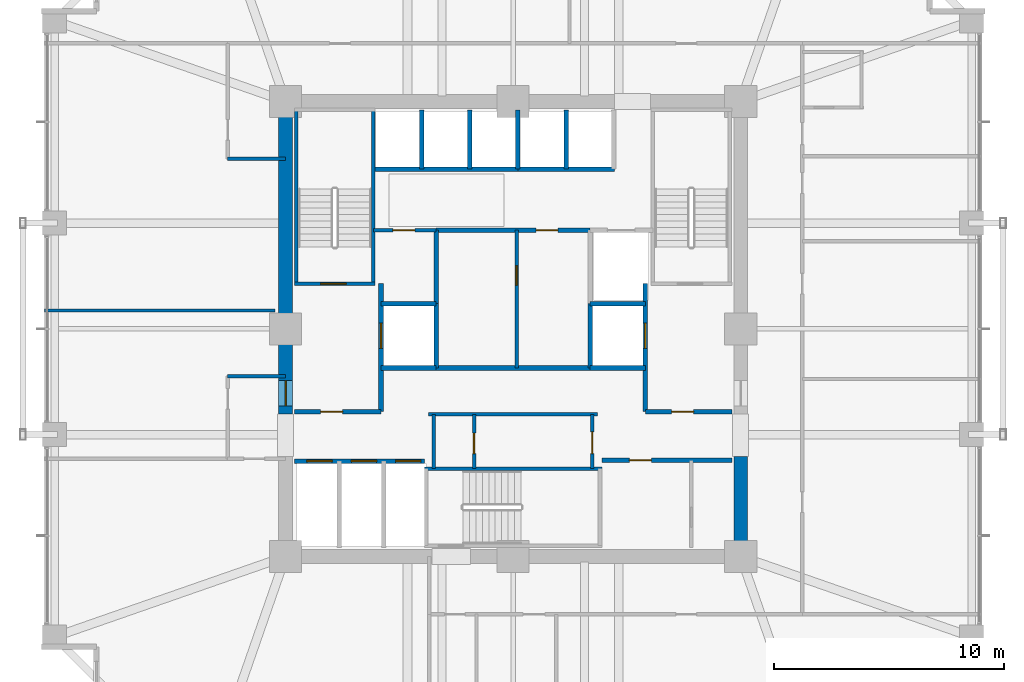
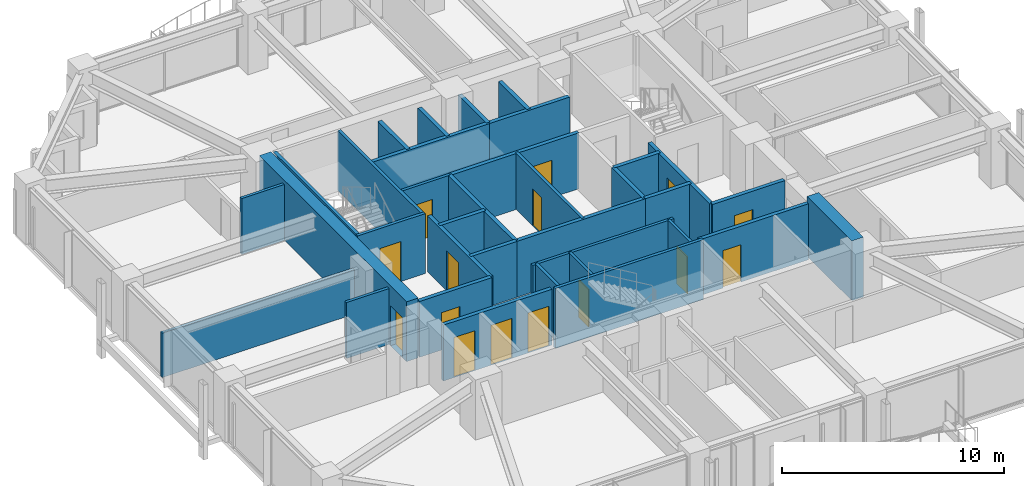
# One storey, part 33 of 38: 36 walls, 15 doors, 15 openings.
"""IFC4 building model written with IfcOpenShell, lengths in metres."""

from ifc_helpers import new_model, si_unit, direction, frame, frame_2d, origin, place, context, subcontext, project, spatial, rectangle, extrude, material, layer, layer_set, type_object, element, fill, save


model = new_model("IFC4")

# Units and contexts
model_context = context("Model", 3, precision=1e-05, world=origin(), true_north=direction((0.0, 1.0)))
body_context = subcontext(model_context, "Body", "Model", "MODEL_VIEW")
ifc_project = project(units=[si_unit("LENGTHUNIT", "METRE"), si_unit("AREAUNIT", "SQUARE_METRE"), si_unit("VOLUMEUNIT", "CUBIC_METRE"), si_unit("PLANEANGLEUNIT", "RADIAN"), si_unit("MASSUNIT", "GRAM", prefix="KILO")], contexts=[model_context])

# Site, building, storey
site_placement = place(None, origin())
site = spatial("IfcSite", under=ifc_project, at=site_placement, CompositionType="ELEMENT")
building_placement = place(site_placement, origin())
building = spatial("IfcBuilding", under=site, at=building_placement, Name="Kolvaren Belvedere", CompositionType="ELEMENT")
storey_placement = place(building_placement, frame((0.0, 0.0, 72.199951171875)))
storey = spatial("IfcBuildingStorey", under=building, at=storey_placement, Name="L20", CompositionType="ELEMENT", Elevation=72.199951171875)

# Wall
ifc_material_1 = material(Name="Concrete C60/75", Category="concrete")
ifc_layer_1 = layer(ifc_material_1, 0.60009765625)
ifc_layer_set_1 = layer_set([ifc_layer_1], Name="Concrete C60/75")
wall_type_1 = type_object("IfcWallType", Name="CW-CORE-600", PredefinedType="SHEAR", material=ifc_layer_set_1)
wall_1_placement = place(storey_placement, frame((9.89990234375, -9.60009765625, 0.0), z_axis=(0.0, 0.0, 1.0), x_axis=(0.0, 1.0, 0.0)))
element("IfcWall", 1, at=wall_1_placement, inside=storey, type_object=wall_type_1, Name="L20 East Core Shear Wall 1", PredefinedType="SHEAR", context=body_context, shape_type="SweptSolid", body=[
    extrude(rectangle(XDim=4.050048828125, YDim=0.60009765625, at=frame_2d((2.02490234375, 0.0))), origin(), (0.0, 0.0, 1.0), 3.300048828125),
])

# Wall, opening, door
wall_2_placement = place(storey_placement, frame((-9.89990234375, -3.699951171875, 0.0), z_axis=(0.0, 0.0, 1.0), x_axis=(0.0, 1.0, 0.0)))
wall_2 = element("IfcWall", 2, at=wall_2_placement, inside=storey, type_object=wall_type_1, Name="L20 West Core Shear Wall 2", PredefinedType="SHEAR", context=body_context, shape_type="SweptSolid", body=[
    extrude(rectangle(XDim=13.300048828125, YDim=0.60009765625, at=frame_2d((6.64990234375, 0.0))), origin(), (0.0, 0.0, 1.0), 3.300048828125),
])
opening_1_placement = place(wall_2_placement, frame((0.35009765625, 0.0, 0.0)))
opening_1 = element("IfcOpeningElement", 3, at=opening_1_placement, cuts=wall_2, Name="Opening D-FD90", PredefinedType="OPENING", context=body_context, shape_type="SweptSolid", body=[
    extrude(rectangle(XDim=1.10009765625, YDim=2.199951171875, at=frame_2d((0.550048828125, 1.10009765625))), frame((0.0, 0.31005859375, 0.0), z_axis=(0.0, -1.0, 0.0), x_axis=(1.0, 0.0, 0.0)), (0.0, 0.0, 1.0), 0.6201171875),
])
ifc_material_2 = material(Name="Painted hollow stainless steel", Category="steel")
door_type_1 = type_object("IfcDoorType", Name="DR-FD90-1100", OperationType="NOTDEFINED", PredefinedType="DOOR", material=ifc_material_2)
door_1_placement = place(opening_1_placement, origin())
door_1 = element("IfcDoor", 4, at=door_1_placement, inside=storey, type_object=door_type_1, Name="L20 West Firefighting Lobby Fire Door", OperationType="SINGLE_SWING_LEFT", OverallHeight=2.199951171875, OverallWidth=1.10009765625, PredefinedType="DOOR", context=body_context, shape_type="SweptSolid", body=[
    extrude(rectangle(XDim=1.10009765625, YDim=2.199951171875, at=frame_2d((0.550048828125, 1.10009765625))), frame((0.0, 0.02490234375, 0.0), z_axis=(0.0, -1.0, 0.0), x_axis=(1.0, 0.0, 0.0)), (0.0, 0.0, 1.0), 0.050048828125),
])
fill(opening_1, door_1)

ifc_material_3 = material(Name="Concrete C50/60", Category="concrete")
ifc_layer_2 = layer(ifc_material_3, 0.159912109375)
ifc_layer_set_2 = layer_set([ifc_layer_2], Name="Concrete C50/60")
wall_type_2 = type_object("IfcWallType", Name="CW-STAIR-160", PredefinedType="SHEAR", material=ifc_layer_set_2)
wall_3_placement = place(storey_placement, frame((-9.52001953125, 1.969970703125, 0.0), z_axis=(0.0, 0.0, 1.0), x_axis=(1.0, 0.0, 0.0)))
wall_3 = element("IfcWall", 5, at=wall_3_placement, inside=storey, type_object=wall_type_2, Name="L20 Stair ST-1 South Shear Wall", PredefinedType="SHEAR", context=body_context, shape_type="SweptSolid", body=[
    extrude(rectangle(XDim=3.52001953125, YDim=0.159912109375, at=frame_2d((1.760009765625, 0.0))), origin(), (0.0, 0.0, 1.0), 3.300048828125),
])
opening_2_placement = place(wall_3_placement, frame((1.14990234375, 0.0, 0.0)))
opening_2 = element("IfcOpeningElement", 6, at=opening_2_placement, cuts=wall_3, Name="Opening D-FD90", PredefinedType="OPENING", context=body_context, shape_type="SweptSolid", body=[
    extrude(rectangle(XDim=1.10009765625, YDim=2.199951171875, at=frame_2d((0.550048828125, 1.10009765625))), frame((0.0, 0.08984375, 0.0), z_axis=(0.0, -1.0, 0.0), x_axis=(1.0, 0.0, 0.0)), (0.0, 0.0, 1.0), 0.179931640625),
])
door_2_placement = place(opening_2_placement, origin())
door_2 = element("IfcDoor", 7, at=door_2_placement, inside=storey, type_object=door_type_1, Name="L20 Stair ST-1 Fire Door", OperationType="SINGLE_SWING_LEFT", OverallHeight=2.199951171875, OverallWidth=1.10009765625, PredefinedType="DOOR", context=body_context, shape_type="SweptSolid", body=[
    extrude(rectangle(XDim=1.10009765625, YDim=2.199951171875, at=frame_2d((0.550048828125, 1.10009765625))), frame((0.0, 0.02490234375, 0.0), z_axis=(0.0, -1.0, 0.0), x_axis=(1.0, 0.0, 0.0)), (0.0, 0.0, 1.0), 0.050048828125),
])
fill(opening_2, door_2)

# Walls
for number, where, z_axis, x_axis, name in (
    (8, (-9.429931640625, 1.969970703125, 0.0), (0.0, 0.0, 1.0), (0.0, 1.0, 0.0), "L20 Stair ST-1 West Shear Wall"),
    (9, (-6.080078125, 1.969970703125, 0.0), (0.0, 0.0, 1.0), (0.0, 1.0, 0.0), "L20 Stair ST-1 East Shear Wall"),
):
    element("IfcWall", number, at=place(storey_placement, frame(where, z_axis=z_axis, x_axis=x_axis)), inside=storey, type_object=wall_type_2, Name=name, PredefinedType="SHEAR", context=body_context, shape_type="SweptSolid", body=[
        extrude(rectangle(XDim=7.56005859375, YDim=0.159912109375, at=frame_2d((3.780029296875, 0.0))), origin(), (0.0, 0.0, 1.0), 3.300048828125),
    ])
wall_4_placement = place(storey_placement, frame((-3.860107421875, -6.080078125, 0.0), z_axis=(0.0, 0.0, 1.0), x_axis=(1.0, 0.0, 0.0)))
element("IfcWall", 10, at=wall_4_placement, inside=storey, type_object=wall_type_2, Name="L20 Stair ST-3 North Shear Wall", PredefinedType="SHEAR", context=body_context, shape_type="SweptSolid", body=[
    extrude(rectangle(XDim=7.72021484375, YDim=0.159912109375, at=frame_2d((3.860107421875, 0.0))), origin(), (0.0, 0.0, 1.0), 3.300048828125),
])
ifc_material_4 = material(Name="Gypsum fire-rated partition assembly", Category="gypsum")
ifc_layer_3 = layer(ifc_material_4, 0.14990234375)
ifc_layer_set_3 = layer_set([ifc_layer_3], Name="Gypsum fire-rated partition assembly")
wall_type_3 = type_object("IfcWallType", Name="WL-CORR-150", PredefinedType="PARTITIONING", material=ifc_layer_set_3)
for number, where, z_axis, x_axis, name in (
    (11, (-12.419921875, 7.39990234375, 0.0), (0.0, 0.0, 1.0), (1.0, 0.0, 0.0), "L20 NW Core Closure Wall"),
    (12, (-12.419921875, -2.050048828125, 0.0), (0.0, 0.0, 1.0), (1.0, 0.0, 0.0), "L20 West Pocket North Closure Wall"),
):
    element("IfcWall", number, at=place(storey_placement, frame(where, z_axis=z_axis, x_axis=x_axis)), inside=storey, type_object=wall_type_3, Name=name, PredefinedType="PARTITIONING", context=body_context, shape_type="SweptSolid", body=[
        extrude(rectangle(XDim=2.52001953125, YDim=0.14990234375, at=frame_2d((1.260009765625, 0.0))), origin(), (0.0, 0.0, 1.0), 3.080078125),
    ])

# Wall, opening, door
ifc_material_5 = material(Name="Gypsum acoustic partition assembly", Category="gypsum")
ifc_layer_4 = layer(ifc_material_5, 0.14990234375)
ifc_layer_set_4 = layer_set([ifc_layer_4], Name="Gypsum acoustic partition assembly")
wall_type_4 = type_object("IfcWallType", Name="WL-PART-150", PredefinedType="PARTITIONING", material=ifc_layer_set_4)
wall_5_placement = place(storey_placement, frame((0.14990234375, -1.699951171875, 0.0), z_axis=(0.0, 0.0, 1.0), x_axis=(0.0, 1.0, 0.0)))
wall_5 = element("IfcWall", 13, at=wall_5_placement, inside=storey, type_object=wall_type_4, Name="L20 Central Core V-Divider", PredefinedType="PARTITIONING", context=body_context, shape_type="SweptSolid", body=[
    extrude(rectangle(XDim=6.0, YDim=0.14990234375, at=frame_2d((3.0, 0.0))), origin(), (0.0, 0.0, 1.0), 3.080078125),
])
opening_3_placement = place(wall_5_placement, frame((3.60009765625, 0.0, 0.0)))
opening_3 = element("IfcOpeningElement", 14, at=opening_3_placement, cuts=wall_5, Name="Opening D-INT85", PredefinedType="OPENING", context=body_context, shape_type="SweptSolid", body=[
    extrude(rectangle(XDim=0.85009765625, YDim=2.030029296875, at=frame_2d((0.425048828125, 1.01513671875))), frame((0.0, 0.0849609375, 0.0), z_axis=(0.0, -1.0, 0.0), x_axis=(1.0, 0.0, 0.0)), (0.0, 0.0, 1.0), 0.169921875),
])
ifc_material_6 = material(Name="Stained Pacific white oak", Category="timber")
door_type_2 = type_object("IfcDoorType", Name="DR-INT-850", OperationType="NOTDEFINED", PredefinedType="DOOR", material=ifc_material_6)
door_3_placement = place(opening_3_placement, origin())
door_3 = element("IfcDoor", 15, at=door_3_placement, inside=storey, type_object=door_type_2, Name="L20 Central Linen Door", OperationType="SINGLE_SWING_RIGHT", OverallHeight=2.030029296875, OverallWidth=0.85009765625, PredefinedType="DOOR", context=body_context, shape_type="SweptSolid", body=[
    extrude(rectangle(XDim=0.85009765625, YDim=2.030029296875, at=frame_2d((0.425048828125, 1.01513671875))), frame((0.0, 0.02490234375, 0.0), z_axis=(0.0, -1.0, 0.0), x_axis=(1.0, 0.0, 0.0)), (0.0, 0.0, 1.0), 0.050048828125),
])
fill(opening_3, door_3)

# Wall
wall_6_placement = place(storey_placement, frame((-3.679931640625, -3.719970703125, 0.0), z_axis=(0.0, 0.0, 1.0), x_axis=(1.0, 0.0, 0.0)))
element("IfcWall", 16, at=wall_6_placement, inside=storey, type_object=wall_type_4, Name="L20 South Core Service North Wall", PredefinedType="PARTITIONING", context=body_context, shape_type="SweptSolid", body=[
    extrude(rectangle(XDim=7.35986328125, YDim=0.14990234375, at=frame_2d((3.679931640625, 0.0))), origin(), (0.0, 0.0, 1.0), 3.080078125),
])

# Wall, opening, door
wall_7_placement = place(storey_placement, frame((3.449951171875, -6.080078125, 0.0), z_axis=(0.0, 0.0, 1.0), x_axis=(0.0, 1.0, 0.0)))
wall_7 = element("IfcWall", 17, at=wall_7_placement, inside=storey, type_object=wall_type_4, Name="L20 South Core Service East Wall", PredefinedType="PARTITIONING", context=body_context, shape_type="SweptSolid", body=[
    extrude(rectangle(XDim=2.360107421875, YDim=0.14990234375, at=frame_2d((1.18017578125, 0.0))), origin(), (0.0, 0.0, 1.0), 3.080078125),
])
opening_4_placement = place(wall_7_placement, frame((0.64990234375, 0.0, 0.0)))
opening_4 = element("IfcOpeningElement", 18, at=opening_4_placement, cuts=wall_7, Name="Opening D-FD60", PredefinedType="OPENING", context=body_context, shape_type="SweptSolid", body=[
    extrude(rectangle(XDim=0.949951171875, YDim=2.06005859375, at=frame_2d((0.47509765625, 1.030029296875))), frame((0.0, 0.0849609375, 0.0), z_axis=(0.0, -1.0, 0.0), x_axis=(1.0, 0.0, 0.0)), (0.0, 0.0, 1.0), 0.169921875),
])
ifc_material_7 = material(Name="Acoustic white-oak fire door leaf", Category="timber")
door_type_3 = type_object("IfcDoorType", Name="DR-FD60-950", OperationType="NOTDEFINED", PredefinedType="DOOR", material=ifc_material_7)
door_4_placement = place(opening_4_placement, origin())
door_4 = element("IfcDoor", 19, at=door_4_placement, inside=storey, type_object=door_type_3, Name="L20 Core Service Room Door", OperationType="SINGLE_SWING_LEFT", OverallHeight=2.06005859375, OverallWidth=0.949951171875, PredefinedType="DOOR", context=body_context, shape_type="SweptSolid", body=[
    extrude(rectangle(XDim=0.949951171875, YDim=2.06005859375, at=frame_2d((0.47509765625, 1.030029296875))), frame((0.0, 0.02490234375, 0.0), z_axis=(0.0, -1.0, 0.0), x_axis=(1.0, 0.0, 0.0)), (0.0, 0.0, 1.0), 0.050048828125),
])
fill(opening_4, door_4)

# Wall
wall_8_placement = place(storey_placement, frame((-3.449951171875, -6.080078125, 0.0), z_axis=(0.0, 0.0, 1.0), x_axis=(0.0, 1.0, 0.0)))
element("IfcWall", 20, at=wall_8_placement, inside=storey, type_object=wall_type_4, Name="L20 South Core Service West Wall", PredefinedType="PARTITIONING", context=body_context, shape_type="SweptSolid", body=[
    extrude(rectangle(XDim=2.360107421875, YDim=0.14990234375, at=frame_2d((1.18017578125, 0.0))), origin(), (0.0, 0.0, 1.0), 3.080078125),
])

# Wall, opening, door
wall_9_placement = place(storey_placement, frame((-1.699951171875, -6.080078125, 0.0), z_axis=(0.0, 0.0, 1.0), x_axis=(0.0, 1.0, 0.0)))
wall_9 = element("IfcWall", 21, at=wall_9_placement, inside=storey, type_object=wall_type_4, Name="L20 Core Service Divider", PredefinedType="PARTITIONING", context=body_context, shape_type="SweptSolid", body=[
    extrude(rectangle(XDim=2.360107421875, YDim=0.14990234375, at=frame_2d((1.18017578125, 0.0))), origin(), (0.0, 0.0, 1.0), 3.080078125),
])
opening_5_placement = place(wall_9_placement, frame((0.64990234375, 0.0, 0.0)))
opening_5 = element("IfcOpeningElement", 22, at=opening_5_placement, cuts=wall_9, Name="Opening D-INT90", PredefinedType="OPENING", context=body_context, shape_type="SweptSolid", body=[
    extrude(rectangle(XDim=0.89990234375, YDim=2.06005859375, at=frame_2d((0.449951171875, 1.030029296875))), frame((0.0, 0.0849609375, 0.0), z_axis=(0.0, -1.0, 0.0), x_axis=(1.0, 0.0, 0.0)), (0.0, 0.0, 1.0), 0.169921875),
])
ifc_material_8 = material(Name="Stained Pacific white oak", Category="timber")
door_type_4 = type_object("IfcDoorType", Name="DR-INT-900", OperationType="NOTDEFINED", PredefinedType="DOOR", material=ifc_material_8)
door_5_placement = place(opening_5_placement, origin())
door_5 = element("IfcDoor", 23, at=door_5_placement, inside=storey, type_object=door_type_4, Name="L20 Telecom Inner Door", OperationType="SINGLE_SWING_RIGHT", OverallHeight=2.06005859375, OverallWidth=0.89990234375, PredefinedType="DOOR", context=body_context, shape_type="SweptSolid", body=[
    extrude(rectangle(XDim=0.89990234375, YDim=2.06005859375, at=frame_2d((0.449951171875, 1.030029296875))), frame((0.0, 0.02490234375, 0.0), z_axis=(0.0, -1.0, 0.0), x_axis=(1.0, 0.0, 0.0)), (0.0, 0.0, 1.0), 0.050048828125),
])
fill(opening_5, door_5)

wall_10_placement = place(storey_placement, frame((-6.080078125, 4.300048828125, 0.0), z_axis=(0.0, 0.0, 1.0), x_axis=(1.0, 0.0, 0.0)))
wall_10 = element("IfcWall", 24, at=wall_10_placement, inside=storey, type_object=wall_type_4, Name="L20 NW Service Room North Wall", PredefinedType="PARTITIONING", context=body_context, shape_type="SweptSolid", body=[
    extrude(rectangle(XDim=2.72998046875, YDim=0.14990234375, at=frame_2d((1.364990234375, 0.0))), origin(), (0.0, 0.0, 1.0), 3.080078125),
])
opening_6_placement = place(wall_10_placement, frame((0.85009765625, 0.0, 0.0)))
opening_6 = element("IfcOpeningElement", 25, at=opening_6_placement, cuts=wall_10, Name="Opening D-FD60", PredefinedType="OPENING", context=body_context, shape_type="SweptSolid", body=[
    extrude(rectangle(XDim=0.949951171875, YDim=2.06005859375, at=frame_2d((0.47509765625, 1.030029296875))), frame((0.0, 0.0849609375, 0.0), z_axis=(0.0, -1.0, 0.0), x_axis=(1.0, 0.0, 0.0)), (0.0, 0.0, 1.0), 0.169921875),
])
door_6_placement = place(opening_6_placement, origin())
door_6 = element("IfcDoor", 26, at=door_6_placement, inside=storey, type_object=door_type_3, Name="L20 NW Core Store Door", OperationType="SINGLE_SWING_RIGHT", OverallHeight=2.06005859375, OverallWidth=0.949951171875, PredefinedType="DOOR", context=body_context, shape_type="SweptSolid", body=[
    extrude(rectangle(XDim=0.949951171875, YDim=2.06005859375, at=frame_2d((0.47509765625, 1.030029296875))), frame((0.0, 0.02490234375, 0.0), z_axis=(0.0, -1.0, 0.0), x_axis=(1.0, 0.0, 0.0)), (0.0, 0.0, 1.0), 0.050048828125),
])
fill(opening_6, door_6)

# Wall
wall_11_placement = place(storey_placement, frame((-20.3798828125, 0.800048828125, 0.0), z_axis=(0.0, 0.0, 1.0), x_axis=(1.0, 0.0, 0.0)))
element("IfcWall", 27, at=wall_11_placement, inside=storey, type_object=wall_type_4, Name="L20 West Upper Suite Divider", PredefinedType="PARTITIONING", context=body_context, shape_type="SweptSolid", body=[
    extrude(rectangle(XDim=10.019775390625, YDim=0.14990234375, at=frame_2d((5.009765625, 0.0))), origin(), (0.0, 0.0, 1.0), 2.448974609375),
])

# Wall, opening, door
ifc_material_9 = material(Name="Concrete C50/60", Category="concrete")
ifc_layer_5 = layer(ifc_material_9, 0.199951171875)
ifc_layer_set_5 = layer_set([ifc_layer_5], Name="Concrete C50/60")
wall_type_5 = type_object("IfcWallType", Name="WL-SHAFT-200", PredefinedType="SOLIDWALL", material=ifc_layer_set_5)
wall_12_placement = place(storey_placement, frame((-9.52001953125, -3.60009765625, 0.0), z_axis=(0.0, 0.0, 1.0), x_axis=(1.0, 0.0, 0.0)))
wall_12 = element("IfcWall", 28, at=wall_12_placement, inside=storey, type_object=wall_type_5, Name="L20 West FSAE Lobby South Wall", PredefinedType="SOLIDWALL", context=body_context, shape_type="SweptSolid", body=[
    extrude(rectangle(XDim=3.77001953125, YDim=0.199951171875, at=frame_2d((1.885009765625, 0.0))), origin(), (0.0, 0.0, 1.0), 3.080078125),
])
opening_7_placement = place(wall_12_placement, frame((1.14990234375, 0.0, 0.0)))
opening_7 = element("IfcOpeningElement", 29, at=opening_7_placement, cuts=wall_12, Name="Opening D-FD60", PredefinedType="OPENING", context=body_context, shape_type="SweptSolid", body=[
    extrude(rectangle(XDim=0.949951171875, YDim=2.06005859375, at=frame_2d((0.47509765625, 1.030029296875))), frame((0.0, 0.10986328125, 0.0), z_axis=(0.0, -1.0, 0.0), x_axis=(1.0, 0.0, 0.0)), (0.0, 0.0, 1.0), 0.219970703125),
])
door_7_placement = place(opening_7_placement, origin())
door_7 = element("IfcDoor", 30, at=door_7_placement, inside=storey, type_object=door_type_3, Name="L20 Mid-Rise Lift Lobby Fire Door", OperationType="SINGLE_SWING_LEFT", OverallHeight=2.06005859375, OverallWidth=0.949951171875, PredefinedType="DOOR", context=body_context, shape_type="SweptSolid", body=[
    extrude(rectangle(XDim=0.949951171875, YDim=2.06005859375, at=frame_2d((0.47509765625, 1.030029296875))), frame((0.0, 0.02490234375, 0.0), z_axis=(0.0, -1.0, 0.0), x_axis=(1.0, 0.0, 0.0)), (0.0, 0.0, 1.0), 0.050048828125),
])
fill(opening_7, door_7)

wall_13_placement = place(storey_placement, frame((-5.75, -3.60009765625, 0.0), z_axis=(0.0, 0.0, 1.0), x_axis=(0.0, 1.0, 0.0)))
wall_13 = element("IfcWall", 31, at=wall_13_placement, inside=storey, type_object=wall_type_5, Name="L20 FSAE FS1 Landing Wall", PredefinedType="SOLIDWALL", context=body_context, shape_type="SweptSolid", body=[
    extrude(rectangle(XDim=5.570068359375, YDim=0.199951171875, at=frame_2d((2.78515625, 0.0))), origin(), (0.0, 0.0, 1.0), 3.080078125),
])
opening_8_placement = place(wall_13_placement, frame((2.75, 0.0, 0.0)))
opening_8 = element("IfcOpeningElement", 32, at=opening_8_placement, cuts=wall_13, Name="Opening LD-11", PredefinedType="OPENING", context=body_context, shape_type="SweptSolid", body=[
    extrude(rectangle(XDim=1.10009765625, YDim=2.199951171875, at=frame_2d((0.550048828125, 1.10009765625))), frame((0.0, 0.10986328125, 0.0), z_axis=(0.0, -1.0, 0.0), x_axis=(1.0, 0.0, 0.0)), (0.0, 0.0, 1.0), 0.219970703125),
])
ifc_material_10 = material(Name="Brushed stainless steel", Category="steel")
door_type_5 = type_object("IfcDoorType", Name="DR-LIFT-1100", OperationType="DOUBLE_DOOR_SLIDING", PredefinedType="DOOR", material=ifc_material_10)
door_8_placement = place(opening_8_placement, origin())
door_8 = element("IfcDoor", 33, at=door_8_placement, inside=storey, type_object=door_type_5, Name="L20 Firefighting Lift FS1 Landing Door", OperationType="DOUBLE_DOOR_SLIDING", OverallHeight=2.199951171875, OverallWidth=1.10009765625, PredefinedType="DOOR", context=body_context, shape_type="SweptSolid", body=[
    extrude(rectangle(XDim=1.10009765625, YDim=2.199951171875, at=frame_2d((0.550048828125, 1.10009765625))), frame((0.0, 0.02490234375, 0.0), z_axis=(0.0, -1.0, 0.0), x_axis=(1.0, 0.0, 0.0)), (0.0, 0.0, 1.0), 0.050048828125),
])
fill(opening_8, door_8)

# Walls
wall_14_placement = place(storey_placement, frame((-3.35009765625, -1.699951171875, 0.0), z_axis=(0.0, 0.0, 1.0), x_axis=(0.0, 1.0, 0.0)))
element("IfcWall", 34, at=wall_14_placement, inside=storey, type_object=wall_type_5, Name="L20 FSAE FS1 Back Wall", PredefinedType="SOLIDWALL", context=body_context, shape_type="SweptSolid", body=[
    extrude(rectangle(XDim=2.800048828125, YDim=0.199951171875, at=frame_2d((1.39990234375, 0.0))), origin(), (0.0, 0.0, 1.0), 3.080078125),
])
for number, where, z_axis, x_axis, name in (
    (35, (-5.75, -1.699951171875, 0.0), (0.0, 0.0, 1.0), (1.0, 0.0, 0.0), "L20 FSAE FS1 South Wall"),
    (36, (-5.75, 1.10009765625, 0.0), (0.0, 0.0, 1.0), (1.0, 0.0, 0.0), "L20 FSAE FS1 North Wall"),
):
    element("IfcWall", number, at=place(storey_placement, frame(where, z_axis=z_axis, x_axis=x_axis)), inside=storey, type_object=wall_type_5, Name=name, PredefinedType="SOLIDWALL", context=body_context, shape_type="SweptSolid", body=[
        extrude(rectangle(XDim=2.39990234375, YDim=0.199951171875, at=frame_2d((1.199951171875, 0.0))), origin(), (0.0, 0.0, 1.0), 3.080078125),
    ])

# Wall, opening, door
wall_15_placement = place(storey_placement, frame((5.75, -3.60009765625, 0.0), z_axis=(0.0, 0.0, 1.0), x_axis=(1.0, 0.0, 0.0)))
wall_15 = element("IfcWall", 37, at=wall_15_placement, inside=storey, type_object=wall_type_5, Name="L20 East FSAE Lobby South Wall", PredefinedType="SOLIDWALL", context=body_context, shape_type="SweptSolid", body=[
    extrude(rectangle(XDim=3.77001953125, YDim=0.199951171875, at=frame_2d((1.885009765625, 0.0))), origin(), (0.0, 0.0, 1.0), 3.080078125),
])
opening_9_placement = place(wall_15_placement, frame((1.14990234375, 0.0, 0.0)))
opening_9 = element("IfcOpeningElement", 38, at=opening_9_placement, cuts=wall_15, Name="Opening D-FD60", PredefinedType="OPENING", context=body_context, shape_type="SweptSolid", body=[
    extrude(rectangle(XDim=0.949951171875, YDim=2.06005859375, at=frame_2d((0.47509765625, 1.030029296875))), frame((0.0, 0.10986328125, 0.0), z_axis=(0.0, -1.0, 0.0), x_axis=(1.0, 0.0, 0.0)), (0.0, 0.0, 1.0), 0.219970703125),
])
door_9_placement = place(opening_9_placement, origin())
door_9 = element("IfcDoor", 39, at=door_9_placement, inside=storey, type_object=door_type_3, Name="L20 SE Lift Lobby Fire Door", OperationType="SINGLE_SWING_RIGHT", OverallHeight=2.06005859375, OverallWidth=0.949951171875, PredefinedType="DOOR", context=body_context, shape_type="SweptSolid", body=[
    extrude(rectangle(XDim=0.949951171875, YDim=2.06005859375, at=frame_2d((0.47509765625, 1.030029296875))), frame((0.0, 0.02490234375, 0.0), z_axis=(0.0, -1.0, 0.0), x_axis=(1.0, 0.0, 0.0)), (0.0, 0.0, 1.0), 0.050048828125),
])
fill(opening_9, door_9)

wall_16_placement = place(storey_placement, frame((5.75, -3.60009765625, 0.0), z_axis=(0.0, 0.0, 1.0), x_axis=(0.0, 1.0, 0.0)))
wall_16 = element("IfcWall", 40, at=wall_16_placement, inside=storey, type_object=wall_type_5, Name="L20 FSAE FS2 Landing Wall", PredefinedType="SOLIDWALL", context=body_context, shape_type="SweptSolid", body=[
    extrude(rectangle(XDim=5.570068359375, YDim=0.199951171875, at=frame_2d((2.78515625, 0.0))), origin(), (0.0, 0.0, 1.0), 3.080078125),
])
opening_10_placement = place(wall_16_placement, frame((2.75, 0.0, 0.0)))
opening_10 = element("IfcOpeningElement", 41, at=opening_10_placement, cuts=wall_16, Name="Opening LD-11", PredefinedType="OPENING", context=body_context, shape_type="SweptSolid", body=[
    extrude(rectangle(XDim=1.10009765625, YDim=2.199951171875, at=frame_2d((0.550048828125, 1.10009765625))), frame((0.0, 0.10986328125, 0.0), z_axis=(0.0, -1.0, 0.0), x_axis=(1.0, 0.0, 0.0)), (0.0, 0.0, 1.0), 0.219970703125),
])
door_10_placement = place(opening_10_placement, origin())
door_10 = element("IfcDoor", 42, at=door_10_placement, inside=storey, type_object=door_type_5, Name="L20 Firefighting Lift FS2 Landing Door", OperationType="DOUBLE_DOOR_SLIDING", OverallHeight=2.199951171875, OverallWidth=1.10009765625, PredefinedType="DOOR", context=body_context, shape_type="SweptSolid", body=[
    extrude(rectangle(XDim=1.10009765625, YDim=2.199951171875, at=frame_2d((0.550048828125, 1.10009765625))), frame((0.0, 0.02490234375, 0.0), z_axis=(0.0, -1.0, 0.0), x_axis=(1.0, 0.0, 0.0)), (0.0, 0.0, 1.0), 0.050048828125),
])
fill(opening_10, door_10)

# Walls
wall_17_placement = place(storey_placement, frame((3.35009765625, -1.699951171875, 0.0), z_axis=(0.0, 0.0, 1.0), x_axis=(0.0, 1.0, 0.0)))
element("IfcWall", 43, at=wall_17_placement, inside=storey, type_object=wall_type_5, Name="L20 FSAE FS2 Back Wall", PredefinedType="SOLIDWALL", context=body_context, shape_type="SweptSolid", body=[
    extrude(rectangle(XDim=2.800048828125, YDim=0.199951171875, at=frame_2d((1.39990234375, 0.0))), origin(), (0.0, 0.0, 1.0), 3.080078125),
])
for number, where, z_axis, x_axis, name in (
    (44, (3.35009765625, -1.699951171875, 0.0), (0.0, 0.0, 1.0), (1.0, 0.0, 0.0), "L20 FSAE FS2 South Wall"),
    (45, (3.35009765625, 1.10009765625, 0.0), (0.0, 0.0, 1.0), (1.0, 0.0, 0.0), "L20 FSAE FS2 North Wall"),
):
    element("IfcWall", number, at=place(storey_placement, frame(where, z_axis=z_axis, x_axis=x_axis)), inside=storey, type_object=wall_type_5, Name=name, PredefinedType="SOLIDWALL", context=body_context, shape_type="SweptSolid", body=[
        extrude(rectangle(XDim=2.39990234375, YDim=0.199951171875, at=frame_2d((1.199951171875, 0.0))), origin(), (0.0, 0.0, 1.0), 3.080078125),
    ])
wall_18_placement = place(storey_placement, frame((-6.080078125, 6.949951171875, 0.0), z_axis=(0.0, 0.0, 1.0), x_axis=(1.0, 0.0, 0.0)))
element("IfcWall", 46, at=wall_18_placement, inside=storey, type_object=wall_type_5, Name="L20 Low-Rise Lift Bank Front Wall", PredefinedType="SOLIDWALL", context=body_context, shape_type="SweptSolid", body=[
    extrude(rectangle(XDim=6.300048828125, YDim=0.199951171875, at=frame_2d((3.14990234375, 0.0))), origin(), (0.0, 0.0, 1.0), 3.080078125),
])
for number, where, z_axis, x_axis, name in (
    (47, (-3.969970703125, 6.949951171875, 0.0), (0.0, 0.0, 1.0), (0.0, 1.0, 0.0), "L20 Low-Rise Hoistway Divider 1"),
    (48, (-1.889892578125, 6.949951171875, 0.0), (0.0, 0.0, 1.0), (0.0, 1.0, 0.0), "L20 Low-Rise Hoistway Divider 2"),
    (49, (0.2099609375, 6.949951171875, 0.0), (0.0, 0.0, 1.0), (0.0, 1.0, 0.0), "L20 Low-Rise Hoistway Divider 3"),
):
    element("IfcWall", number, at=place(storey_placement, frame(where, z_axis=z_axis, x_axis=x_axis)), inside=storey, type_object=wall_type_5, Name=name, PredefinedType="SOLIDWALL", context=body_context, shape_type="SweptSolid", body=[
        extrude(rectangle(XDim=2.570068359375, YDim=0.199951171875, at=frame_2d((1.28515625, 0.0))), origin(), (0.0, 0.0, 1.0), 3.080078125),
    ])
wall_19_placement = place(storey_placement, frame((0.219970703125, 6.949951171875, 0.0), z_axis=(0.0, 0.0, 1.0), x_axis=(1.0, 0.0, 0.0)))
element("IfcWall", 50, at=wall_19_placement, inside=storey, type_object=wall_type_5, Name="L20 Express Shuttle Hoistway Wall", PredefinedType="SOLIDWALL", context=body_context, shape_type="SweptSolid", body=[
    extrude(rectangle(XDim=4.179931640625, YDim=0.199951171875, at=frame_2d((2.08984375, 0.0))), origin(), (0.0, 0.0, 1.0), 3.080078125),
])
wall_20_placement = place(storey_placement, frame((2.31005859375, 6.949951171875, 0.0), z_axis=(0.0, 0.0, 1.0), x_axis=(0.0, 1.0, 0.0)))
element("IfcWall", 51, at=wall_20_placement, inside=storey, type_object=wall_type_5, Name="L20 Express Shuttle Divider", PredefinedType="SOLIDWALL", context=body_context, shape_type="SweptSolid", body=[
    extrude(rectangle(XDim=2.570068359375, YDim=0.199951171875, at=frame_2d((1.28515625, 0.0))), origin(), (0.0, 0.0, 1.0), 3.080078125),
])

# Wall, openings, doors
wall_21_placement = place(storey_placement, frame((-9.52001953125, -5.75, 0.0), z_axis=(0.0, 0.0, 1.0), x_axis=(1.0, 0.0, 0.0)))
wall_21 = element("IfcWall", 52, at=wall_21_placement, inside=storey, type_object=wall_type_5, Name="L20 Mid-Rise Lift Bank Front Wall", PredefinedType="SOLIDWALL", context=body_context, shape_type="SweptSolid", body=[
    extrude(rectangle(XDim=5.659912109375, YDim=0.199951171875, at=frame_2d((2.830078125, 0.0))), origin(), (0.0, 0.0, 1.0), 3.080078125),
])
opening_11_placement = place(wall_21_placement, frame((0.550048828125, 0.0, 0.0)))
opening_11 = element("IfcOpeningElement", 53, at=opening_11_placement, cuts=wall_21, Name="Opening LD-11", PredefinedType="OPENING", context=body_context, shape_type="SweptSolid", body=[
    extrude(rectangle(XDim=1.10009765625, YDim=2.199951171875, at=frame_2d((0.550048828125, 1.10009765625))), frame((0.0, 0.10986328125, 0.0), z_axis=(0.0, -1.0, 0.0), x_axis=(1.0, 0.0, 0.0)), (0.0, 0.0, 1.0), 0.219970703125),
])
opening_12_placement = place(wall_21_placement, frame((2.47998046875, 0.0, 0.0)))
opening_12 = element("IfcOpeningElement", 54, at=opening_12_placement, cuts=wall_21, Name="Opening LD-11", PredefinedType="OPENING", context=body_context, shape_type="SweptSolid", body=[
    extrude(rectangle(XDim=1.10009765625, YDim=2.199951171875, at=frame_2d((0.550048828125, 1.10009765625))), frame((0.0, 0.10986328125, 0.0), z_axis=(0.0, -1.0, 0.0), x_axis=(1.0, 0.0, 0.0)), (0.0, 0.0, 1.0), 0.219970703125),
])
opening_13_placement = place(wall_21_placement, frame((4.409912109375, 0.0, 0.0)))
opening_13 = element("IfcOpeningElement", 55, at=opening_13_placement, cuts=wall_21, Name="Opening LD-11", PredefinedType="OPENING", context=body_context, shape_type="SweptSolid", body=[
    extrude(rectangle(XDim=1.10009765625, YDim=2.199951171875, at=frame_2d((0.550048828125, 1.10009765625))), frame((0.0, 0.10986328125, 0.0), z_axis=(0.0, -1.0, 0.0), x_axis=(1.0, 0.0, 0.0)), (0.0, 0.0, 1.0), 0.219970703125),
])
door_11_placement = place(opening_11_placement, origin())
door_11 = element("IfcDoor", 56, at=door_11_placement, inside=storey, type_object=door_type_5, Name="L20 Passenger Lift P4 Landing Door", OperationType="DOUBLE_DOOR_SLIDING", OverallHeight=2.199951171875, OverallWidth=1.10009765625, PredefinedType="DOOR", context=body_context, shape_type="SweptSolid", body=[
    extrude(rectangle(XDim=1.10009765625, YDim=2.199951171875, at=frame_2d((0.550048828125, 1.10009765625))), frame((0.0, 0.02490234375, 0.0), z_axis=(0.0, -1.0, 0.0), x_axis=(1.0, 0.0, 0.0)), (0.0, 0.0, 1.0), 0.050048828125),
])
fill(opening_11, door_11)
door_12_placement = place(opening_12_placement, origin())
door_12 = element("IfcDoor", 57, at=door_12_placement, inside=storey, type_object=door_type_5, Name="L20 Passenger Lift P5 Landing Door", OperationType="DOUBLE_DOOR_SLIDING", OverallHeight=2.199951171875, OverallWidth=1.10009765625, PredefinedType="DOOR", context=body_context, shape_type="SweptSolid", body=[
    extrude(rectangle(XDim=1.10009765625, YDim=2.199951171875, at=frame_2d((0.550048828125, 1.10009765625))), frame((0.0, 0.02490234375, 0.0), z_axis=(0.0, -1.0, 0.0), x_axis=(1.0, 0.0, 0.0)), (0.0, 0.0, 1.0), 0.050048828125),
])
fill(opening_12, door_12)
door_13_placement = place(opening_13_placement, origin())
door_13 = element("IfcDoor", 58, at=door_13_placement, inside=storey, type_object=door_type_5, Name="L20 Passenger Lift P6 Landing Door", OperationType="DOUBLE_DOOR_SLIDING", OverallHeight=2.199951171875, OverallWidth=1.10009765625, PredefinedType="DOOR", context=body_context, shape_type="SweptSolid", body=[
    extrude(rectangle(XDim=1.10009765625, YDim=2.199951171875, at=frame_2d((0.550048828125, 1.10009765625))), frame((0.0, 0.02490234375, 0.0), z_axis=(0.0, -1.0, 0.0), x_axis=(1.0, 0.0, 0.0)), (0.0, 0.0, 1.0), 0.050048828125),
])
fill(opening_13, door_13)

# Wall, opening, door
wall_22_placement = place(storey_placement, frame((3.860107421875, -5.719970703125, 0.0), z_axis=(0.0, 0.0, 1.0), x_axis=(1.0, 0.0, 0.0)))
wall_22 = element("IfcWall", 59, at=wall_22_placement, inside=storey, type_object=wall_type_5, Name="L20 SE Core Distribution Wall", PredefinedType="SOLIDWALL", context=body_context, shape_type="SweptSolid", body=[
    extrude(rectangle(XDim=5.659912109375, YDim=0.199951171875, at=frame_2d((2.830078125, 0.0))), origin(), (0.0, 0.0, 1.0), 3.080078125),
])
opening_14_placement = place(wall_22_placement, frame((1.199951171875, 0.0, 0.0)))
opening_14 = element("IfcOpeningElement", 60, at=opening_14_placement, cuts=wall_22, Name="Opening D-FD60", PredefinedType="OPENING", context=body_context, shape_type="SweptSolid", body=[
    extrude(rectangle(XDim=0.949951171875, YDim=2.06005859375, at=frame_2d((0.47509765625, 1.030029296875))), frame((0.0, 0.10986328125, 0.0), z_axis=(0.0, -1.0, 0.0), x_axis=(1.0, 0.0, 0.0)), (0.0, 0.0, 1.0), 0.219970703125),
])
door_14_placement = place(opening_14_placement, origin())
door_14 = element("IfcDoor", 61, at=door_14_placement, inside=storey, type_object=door_type_3, Name="L20 SE BMS Store Door", OperationType="SINGLE_SWING_RIGHT", OverallHeight=2.06005859375, OverallWidth=0.949951171875, PredefinedType="DOOR", context=body_context, shape_type="SweptSolid", body=[
    extrude(rectangle(XDim=0.949951171875, YDim=2.06005859375, at=frame_2d((0.47509765625, 1.030029296875))), frame((0.0, 0.02490234375, 0.0), z_axis=(0.0, -1.0, 0.0), x_axis=(1.0, 0.0, 0.0)), (0.0, 0.0, 1.0), 0.050048828125),
])
fill(opening_14, door_14)

wall_23_placement = place(storey_placement, frame((-3.35009765625, 4.300048828125, 0.0), z_axis=(0.0, 0.0, 1.0), x_axis=(1.0, 0.0, 0.0)))
wall_23 = element("IfcWall", 62, at=wall_23_placement, inside=storey, type_object=wall_type_5, Name="L20 Central Core Room North Wall", PredefinedType="SOLIDWALL", context=body_context, shape_type="SweptSolid", body=[
    extrude(rectangle(XDim=6.7001953125, YDim=0.199951171875, at=frame_2d((3.35009765625, 0.0))), origin(), (0.0, 0.0, 1.0), 3.080078125),
])
opening_15_placement = place(wall_23_placement, frame((4.35009765625, 0.0, 0.0)))
opening_15 = element("IfcOpeningElement", 63, at=opening_15_placement, cuts=wall_23, Name="Opening D-FD60", PredefinedType="OPENING", context=body_context, shape_type="SweptSolid", body=[
    extrude(rectangle(XDim=0.949951171875, YDim=2.06005859375, at=frame_2d((0.47509765625, 1.030029296875))), frame((0.0, 0.10986328125, 0.0), z_axis=(0.0, -1.0, 0.0), x_axis=(1.0, 0.0, 0.0)), (0.0, 0.0, 1.0), 0.219970703125),
])
door_15_placement = place(opening_15_placement, origin())
door_15 = element("IfcDoor", 64, at=door_15_placement, inside=storey, type_object=door_type_3, Name="L20 Central Core Controls Door", OperationType="SINGLE_SWING_LEFT", OverallHeight=2.06005859375, OverallWidth=0.949951171875, PredefinedType="DOOR", context=body_context, shape_type="SweptSolid", body=[
    extrude(rectangle(XDim=0.949951171875, YDim=2.06005859375, at=frame_2d((0.47509765625, 1.030029296875))), frame((0.0, 0.02490234375, 0.0), z_axis=(0.0, -1.0, 0.0), x_axis=(1.0, 0.0, 0.0)), (0.0, 0.0, 1.0), 0.050048828125),
])
fill(opening_15, door_15)

# Walls
wall_24_placement = place(storey_placement, frame((-3.35009765625, -1.699951171875, 0.0), z_axis=(0.0, 0.0, 1.0), x_axis=(1.0, 0.0, 0.0)))
element("IfcWall", 65, at=wall_24_placement, inside=storey, type_object=wall_type_5, Name="L20 Central Core Room South Wall", PredefinedType="SOLIDWALL", context=body_context, shape_type="SweptSolid", body=[
    extrude(rectangle(XDim=6.7001953125, YDim=0.199951171875, at=frame_2d((3.35009765625, 0.0))), origin(), (0.0, 0.0, 1.0), 3.080078125),
])
wall_25_placement = place(storey_placement, frame((-3.35009765625, 1.10009765625, 0.0), z_axis=(0.0, 0.0, 1.0), x_axis=(0.0, 1.0, 0.0)))
element("IfcWall", 66, at=wall_25_placement, inside=storey, type_object=wall_type_5, Name="L20 Central Core Room West Wall", PredefinedType="SOLIDWALL", context=body_context, shape_type="SweptSolid", body=[
    extrude(rectangle(XDim=3.199951171875, YDim=0.199951171875, at=frame_2d((1.60009765625, 0.0))), origin(), (0.0, 0.0, 1.0), 3.080078125),
])

save(model, "model.ifc")
